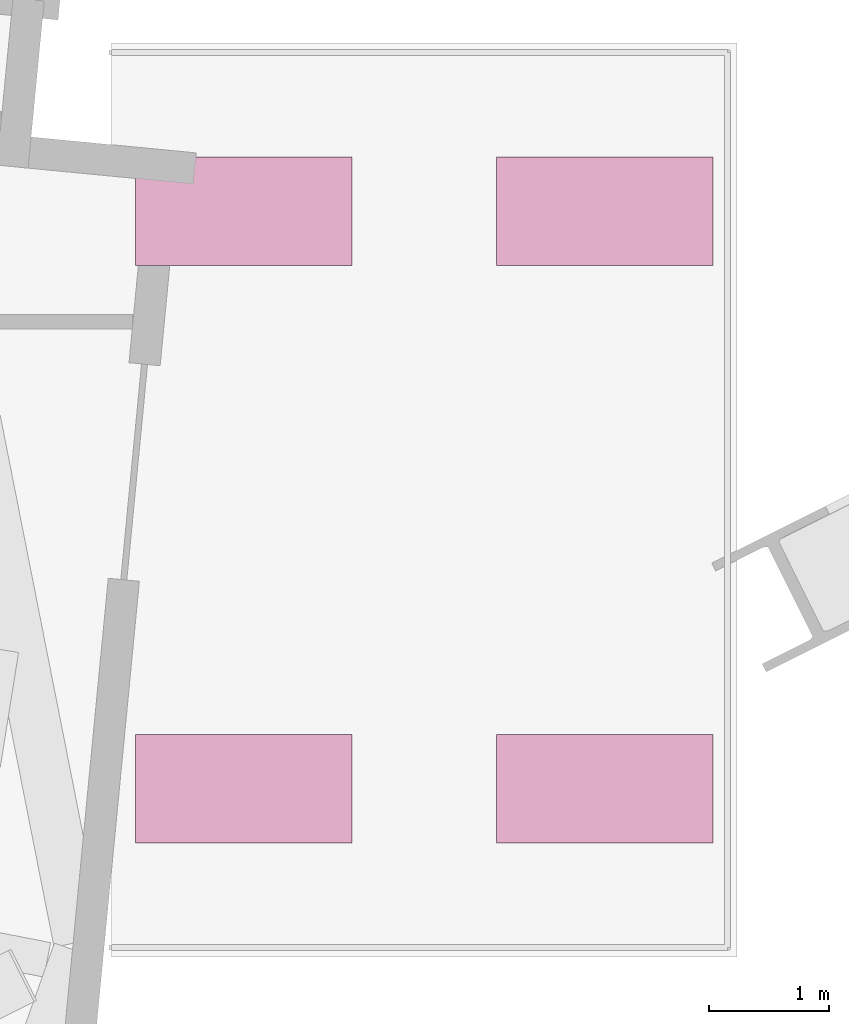
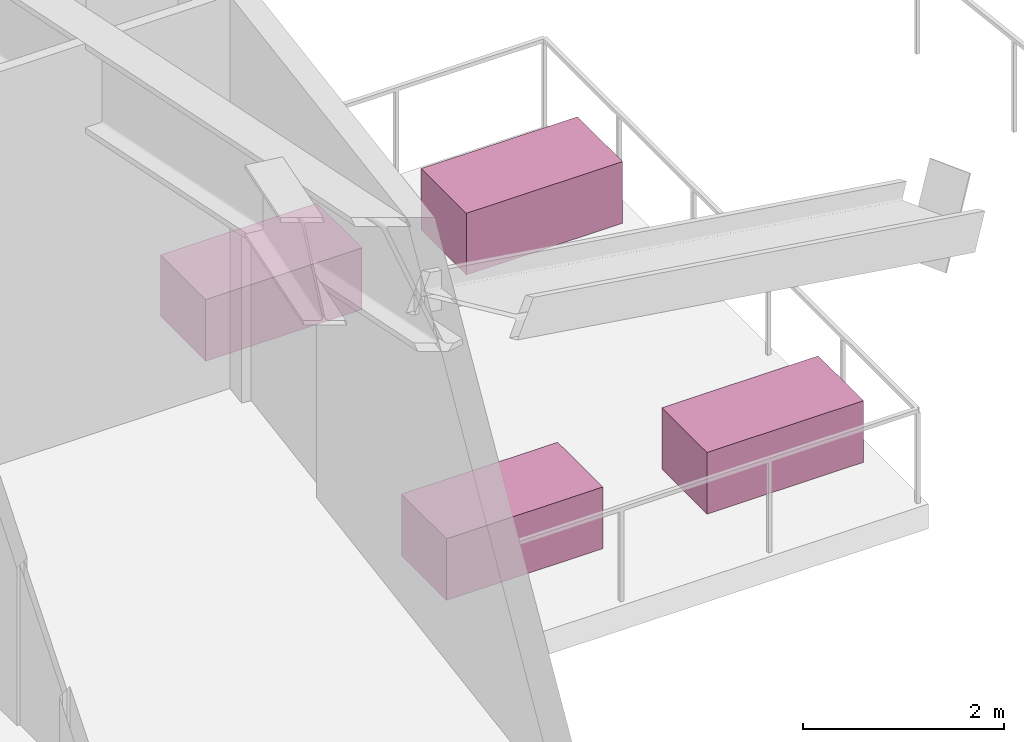
# One storey, part 23 of 23: 4 furnishings.
"""IFC4 building model written with IfcOpenShell, lengths in metres."""

from ifc_helpers import new_model, si_unit, direction, frame, origin, origin_2d, place, context, subcontext, project, spatial, rectangle, extrude, source, transform, mapped, material, type_object, type_shapes, element, save


model = new_model("IFC4")

# Units and contexts
model_context = context("Model", 3, precision=1e-05, world=origin(), true_north=direction((0.0, 1.0)))
body_context = subcontext(model_context, "Body", "Model", "MODEL_VIEW")
ifc_project = project(units=[si_unit("LENGTHUNIT", "METRE"), si_unit("AREAUNIT", "SQUARE_METRE"), si_unit("VOLUMEUNIT", "CUBIC_METRE"), si_unit("PLANEANGLEUNIT", "RADIAN"), si_unit("MASSUNIT", "GRAM", prefix="KILO")], contexts=[model_context])

# Site, building, storey
site_placement = place(None, origin())
site = spatial("IfcSite", under=ifc_project, at=site_placement, CompositionType="ELEMENT")
building_placement = place(site_placement, origin())
building = spatial("IfcBuilding", under=site, at=building_placement, Name="Astriad Promenade Condominiums", CompositionType="ELEMENT")
storey_placement = place(building_placement, frame((0.0, 0.0, 119.39990234375)))
storey = spatial("IfcBuildingStorey", under=building, at=storey_placement, Name="L34", CompositionType="ELEMENT", Elevation=119.39990234375)

# Furnishings
ifc_material = material(Name="Architectural Precast Concrete Planter", Category="concrete")
furnishing_element_type = type_object("IfcFurnishingElementType", Name="PLANTER-SKYGARDEN-1800", material=ifc_material)
shared_shape = source(origin(), body_context, "Body", "SweptSolid", [
    extrude(rectangle(XDim=1.800048828125, YDim=0.89990234375, at=origin_2d()), origin(), (0.0, 0.0, 1.0), 0.75),
])
type_shapes(furnishing_element_type, [shared_shape])
for number, where, z_axis, x_axis, name in (
    (1, (60.699951171875, 16.199951171875, 0.0), (0.0, 0.0, 1.0), (1.0, 0.0, 0.0), "PLN-SG-L34-1"),
    (2, (63.699951171875, 16.199951171875, 0.0), (0.0, 0.0, 1.0), (1.0, 0.0, 0.0), "PLN-SG-L34-2"),
    (3, (60.699951171875, 21.0, 0.0), (0.0, 0.0, 1.0), (1.0, 0.0, 0.0), "PLN-SG-L34-3"),
    (4, (63.699951171875, 21.0, 0.0), (0.0, 0.0, 1.0), (1.0, 0.0, 0.0), "PLN-SG-L34-4"),
):
    element("IfcFurnishingElement", number, at=place(storey_placement, frame(where, z_axis=z_axis, x_axis=x_axis)), inside=storey, type_object=furnishing_element_type, Name=name, ObjectType="PLANTER", context=body_context, shape_type="MappedRepresentation", body=[
        mapped(shared_shape, transform((0.0, 0.0, 0.0), scale=1.0)),
    ])

save(model, "model.ifc")
